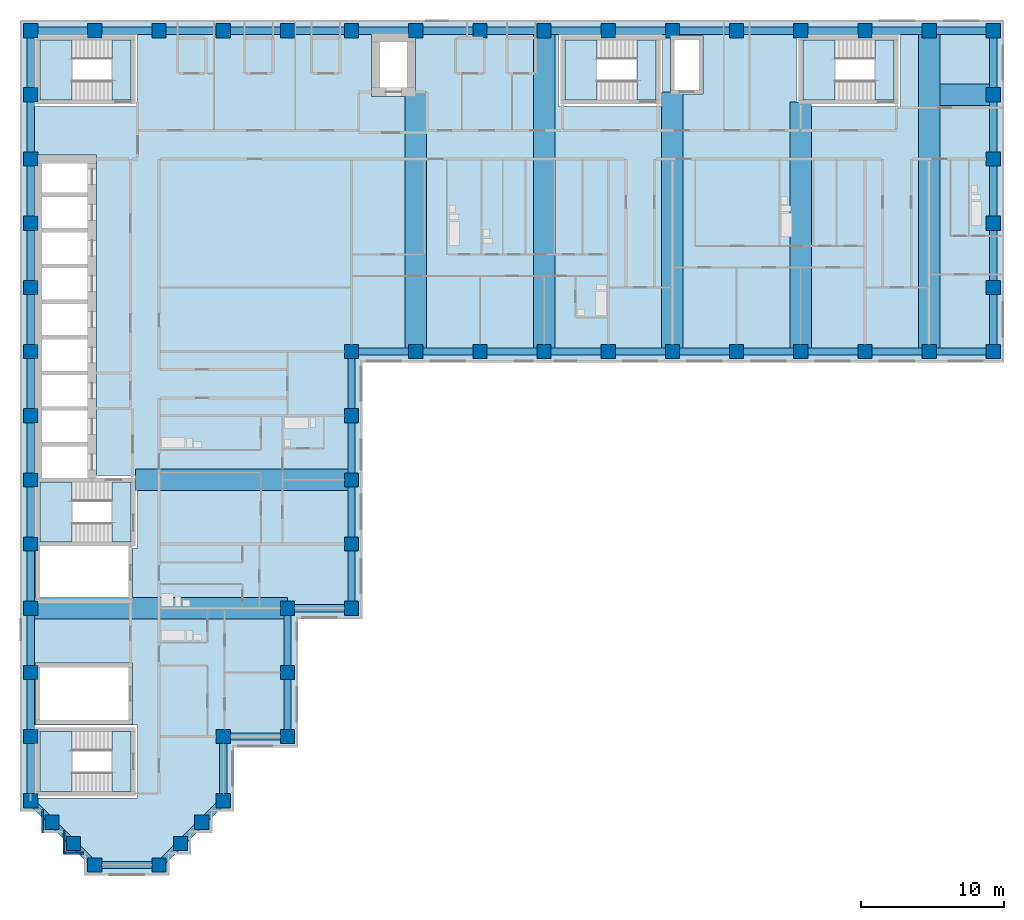
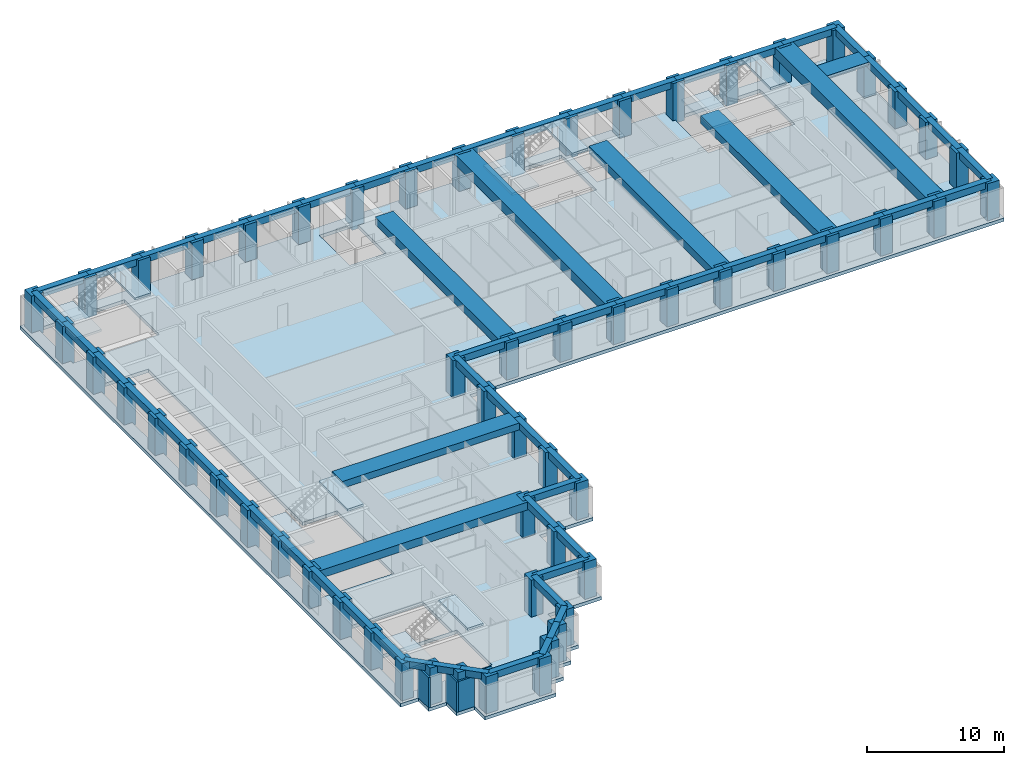
# One storey, part 1 of 12: 66 beams, 58 columns, 11 slabs, 3 walls, 5 elements without a shape of their own.
"""IFC4 building model written with IfcOpenShell, lengths in metres."""

import ifcopenshell
import ifcopenshell.guid

model = None  # the IFC model being written
_history = None  # IfcOwnerHistory: only IFC2X3 demands one
_inside = {}  # id of a spatial element -> (the spatial element, [elements in it])
_under = {}  # id of a project, library or spatial element -> (it, [spatial elements below it])
_declared = {}  # id of a project -> (the project, [libraries it declares])
_typed = {}  # id of a type object -> (the type object, [elements of that type])
_made_of = {}  # id of a material, layer set ... -> (it, [elements and type objects made of it])


def new_model(schema):
    """Start an empty IFC model of exactly this schema.

    Asked for "IFC4X3", IfcOpenShell would pick the latest addendum, in which some entities
    have other attributes; the version numbers below select the first issue.
    IFC2X3 requires an IfcOwnerHistory on every rooted entity: one is made here for all.
    """
    global model, _history
    if schema == "IFC4X3":
        model = ifcopenshell.file(schema_version=(4, 3, 0, 0))
    else:
        model = ifcopenshell.file(schema=schema)
    _inside.clear()
    _under.clear()
    _declared.clear()
    _typed.clear()
    _made_of.clear()
    _history = None
    if model.schema == "IFC2X3":
        org = make("IfcOrganization", Name="unknown")
        user = make(
            "IfcPersonAndOrganization",
            ThePerson=make("IfcPerson", FamilyName="unknown"),
            TheOrganization=org,
        )
        app = make(
            "IfcApplication",
            ApplicationDeveloper=org,
            Version="unknown",
            ApplicationFullName="unknown",
            ApplicationIdentifier="unknown",
        )
        _history = make(
            "IfcOwnerHistory",
            OwningUser=user,
            OwningApplication=app,
            ChangeAction="ADDED",
            CreationDate=0,
        )
    return model


def make(cls, **values):
    """One entity of the class cls with the attributes given. An attribute that is None is left unset."""
    return model.create_entity(
        cls, **{name: value for name, value in values.items() if value is not None}
    )


def rooted(cls, **values):
    """An entity with a GlobalId (a new one), such as an element, a storey or a relation."""
    return make(cls, GlobalId=ifcopenshell.guid.new(), OwnerHistory=_history, **values)


def si_unit(unit_type, name, prefix=None):
    """IfcSIUnit, for example si_unit("LENGTHUNIT", "METRE", prefix="MILLI")."""
    return make("IfcSIUnit", UnitType=unit_type, Prefix=prefix, Name=name)


def assignment(units):
    """IfcUnitAssignment: the units of a project."""
    return None if units is None else make("IfcUnitAssignment", Units=units)


def point(xyz):
    """IfcCartesianPoint."""
    return None if xyz is None else make("IfcCartesianPoint", Coordinates=xyz)


def direction(xyz):
    """IfcDirection."""
    return None if xyz is None else make("IfcDirection", DirectionRatios=xyz)


def frame(location, z_axis=None, x_axis=None):
    """IfcAxis2Placement3D, a coordinate frame: its origin and axes. An axis left out is left unset."""
    return make(
        "IfcAxis2Placement3D",
        Location=point(location),
        Axis=direction(z_axis),
        RefDirection=direction(x_axis),
    )


def frame_2d(location, x_axis=None):
    """IfcAxis2Placement2D, a coordinate frame in the plane: its origin and x axis."""
    return make(
        "IfcAxis2Placement2D", Location=point(location), RefDirection=direction(x_axis)
    )


def origin():
    """The frame at (0, 0, 0) with its axes left unset."""
    return frame((0.0, 0.0, 0.0))


def origin_2d():
    """The frame at (0, 0) in the plane with its x axis left unset."""
    return frame_2d((0.0, 0.0))


def place(relative_to, where):
    """IfcLocalPlacement: puts the frame where relative to a parent placement (None: the world)."""
    return make(
        "IfcLocalPlacement", PlacementRelTo=relative_to, RelativePlacement=where
    )


def context(
    kind, dimensions, precision=None, world=None, true_north=None, identifier=None
):
    """IfcGeometricRepresentationContext, for example the 3D "Model" context."""
    return make(
        "IfcGeometricRepresentationContext",
        ContextIdentifier=identifier,
        ContextType=kind,
        CoordinateSpaceDimension=dimensions,
        Precision=precision,
        WorldCoordinateSystem=world,
        TrueNorth=true_north,
    )


def subcontext(parent, identifier, kind, view, scale=None):
    """IfcGeometricRepresentationSubContext, for example "Body" below "Model"."""
    return make(
        "IfcGeometricRepresentationSubContext",
        ContextIdentifier=identifier,
        ContextType=kind,
        ParentContext=parent,
        TargetScale=scale,
        TargetView=view,
    )


def project(units=None, contexts=None):
    """IfcProject with its units and contexts."""
    return rooted(
        "IfcProject",
        Name="project",
        RepresentationContexts=contexts,
        UnitsInContext=assignment(units),
    )


def spatial(cls, under=None, at=None, **own):
    """A site, building, storey or space (cls), placed at a placement, below another one or the project."""
    s = rooted(cls, ObjectPlacement=at, **own)
    if under is not None:
        _under.setdefault(under.id(), (under, []))[1].append(s)
    return s


def polyline(points):
    """IfcPolyline through the points."""
    return make("IfcPolyline", Points=[point(p) for p in points])


def profile(cls, at=None, kind="AREA", **sizes):
    """A parametric profile (cls). Its sizes go by their IFC names, for example OverallWidth=200.0."""
    return make(cls, ProfileType=kind, Position=at, **sizes)


def rectangle(**sizes):
    """IfcRectangleProfileDef."""
    return profile("IfcRectangleProfileDef", **sizes)


def outline(outer, holes=None, kind="AREA"):
    """IfcArbitraryClosedProfileDef: a profile drawn as a closed curve; with holes, ...WithVoids."""
    if holes is None:
        return make("IfcArbitraryClosedProfileDef", ProfileType=kind, OuterCurve=outer)
    return make(
        "IfcArbitraryProfileDefWithVoids",
        ProfileType=kind,
        OuterCurve=outer,
        InnerCurves=holes,
    )


def extrude(swept, where, along, depth):
    """IfcExtrudedAreaSolid: the profile swept, set in the frame where, extruded along a direction by depth."""
    return make(
        "IfcExtrudedAreaSolid",
        SweptArea=swept,
        Position=where,
        ExtrudedDirection=direction(along),
        Depth=depth,
    )


def shape(context_of_items, identifier, shape_type, items):
    """IfcShapeRepresentation: the items that make up one representation, for example the "Body"."""
    return make(
        "IfcShapeRepresentation",
        ContextOfItems=context_of_items,
        RepresentationIdentifier=identifier,
        RepresentationType=shape_type,
        Items=items,
    )


def material(Name=None, Category=None):
    """IfcMaterial."""
    return make("IfcMaterial", Name=Name, Category=Category)


def layer(
    of_material, thickness, ventilated=None, Name=None, Category=None, Priority=None
):
    """IfcMaterialLayer: one layer of a wall or slab, of a material (None: an air gap)."""
    return make(
        "IfcMaterialLayer",
        Material=of_material,
        LayerThickness=thickness,
        IsVentilated=ventilated,
        Name=Name,
        Category=Category,
        Priority=Priority,
    )


def layer_set(layers, Name=None):
    """IfcMaterialLayerSet."""
    return make("IfcMaterialLayerSet", MaterialLayers=layers, LayerSetName=Name)


def material_profile(
    of_material, cross_section, Name=None, Category=None, Priority=None
):
    """IfcMaterialProfile: a cross section and its material."""
    return make(
        "IfcMaterialProfile",
        Name=Name,
        Material=of_material,
        Profile=cross_section,
        Priority=Priority,
        Category=Category,
    )


def profile_set(profiles, Name=None, composite=None):
    """IfcMaterialProfileSet."""
    return make(
        "IfcMaterialProfileSet",
        Name=Name,
        MaterialProfiles=profiles,
        CompositeProfile=composite,
    )


def made_of(thing, what):
    """Note that an element or type object is made of a material, layer set ...; save() writes the relation."""
    if what is not None:
        _made_of.setdefault(what.id(), (what, []))[1].append(thing)
    return thing


def type_object(cls, material=None, **own):
    """A type object (cls), such as IfcWallType, which elements share."""
    return made_of(rooted(cls, **own), material)


def element(
    cls,
    number,
    at=None,
    inside=None,
    cuts=None,
    type_object=None,
    material=None,
    context=None,
    identifier="Body",
    shape_type=None,
    held_by="IfcProductDefinitionShape",
    body=None,
    shapes=None,
    **own,
):
    """One element of the class cls, such as IfcWall. Its Tag is "e" and its number.

    at: its placement. inside: the storey or other place that contains it. cuts: it is an
    opening in that element (IfcRelVoidsElement). A single representation is given by context,
    identifier, shape_type and body (its items); several are given by shapes. held_by: the class
    of the entity that holds the representations. save() writes the other relations.
    """
    e = rooted(cls, Tag="e%d" % number, ObjectPlacement=at, **own)
    if body is not None:
        shapes = [shape(context, identifier, shape_type, body)]
    if shapes is not None:
        e.Representation = make(held_by, Representations=shapes)
    if inside is not None:
        _inside.setdefault(inside.id(), (inside, []))[1].append(e)
    if cuts is not None:
        rooted(
            "IfcRelVoidsElement", RelatingBuildingElement=cuts, RelatedOpeningElement=e
        )
    if type_object is not None:
        _typed.setdefault(type_object.id(), (type_object, []))[1].append(e)
    return made_of(e, material)


def aggregate(whole, parts):
    """IfcRelAggregates: a whole, such as a stair, and the parts it consists of."""
    return rooted("IfcRelAggregates", RelatingObject=whole, RelatedObjects=parts)


def save(model, path):
    """Write the relations noted so far, then the file.

    IfcRelAggregates (storeys below a building ...), IfcRelContainedInSpatialStructure (elements
    in a storey), IfcRelDefinesByType, IfcRelAssociatesMaterial and IfcRelDeclares: one each for
    every whole, place, type object, material and project.
    """
    for whole, parts in _under.values():
        aggregate(whole, parts)
    for where, things in _inside.values():
        rooted(
            "IfcRelContainedInSpatialStructure",
            RelatedElements=things,
            RelatingStructure=where,
        )
    for kind, things in _typed.values():
        rooted("IfcRelDefinesByType", RelatedObjects=things, RelatingType=kind)
    for what, things in _made_of.values():
        rooted("IfcRelAssociatesMaterial", RelatedObjects=things, RelatingMaterial=what)
    for by, libraries in _declared.values():
        rooted("IfcRelDeclares", RelatingContext=by, RelatedDefinitions=libraries)
    model.write(path)


model = new_model("IFC4")

# Units and contexts
model_context = context("Model", 3, precision=1e-05, world=origin(), true_north=direction((0.0, 1.0)))
body_context = subcontext(model_context, "Body", "Model", "MODEL_VIEW")
ifc_project = project(units=[si_unit("LENGTHUNIT", "METRE"), si_unit("AREAUNIT", "SQUARE_METRE"), si_unit("VOLUMEUNIT", "CUBIC_METRE"), si_unit("PLANEANGLEUNIT", "RADIAN"), si_unit("MASSUNIT", "GRAM", prefix="KILO")], contexts=[model_context])

# Site, building, storey
site_placement = place(None, origin())
site = spatial("IfcSite", under=ifc_project, at=site_placement, CompositionType="ELEMENT")
building_placement = place(site_placement, origin())
building = spatial("IfcBuilding", under=site, at=building_placement, Name="Firuza Court", CompositionType="ELEMENT")
storey_placement = place(building_placement, frame((0.0, 0.0, 155.60009765625)))
storey = spatial("IfcBuildingStorey", under=building, at=storey_placement, Name="L39", CompositionType="ELEMENT", Elevation=155.60009765625)

# Columns
ifc_material_1 = material(Name="Concrete C60/75", Category="concrete")
ifc_material_profile_1 = material_profile(ifc_material_1, rectangle(XDim=1.0, YDim=1.0, at=origin_2d()), Name="RC 1000x1000")
ifc_profile_set_1 = profile_set([ifc_material_profile_1], Name="Concrete C60/75")
column_type = type_object("IfcColumnType", Name="Tube column RC 1000x1000 C60/75", PredefinedType="COLUMN", material=ifc_profile_set_1)
for number, where, z_axis, x_axis, name in (
    (1, (4.5, 0.0, -0.300048828125), (0.0, 0.0, 1.0), (1.0, 0.0, 0.0), "Column C-2D L39"),
    (2, (9.0, 0.0, -0.300048828125), (0.0, 0.0, 1.0), (1.0, 0.0, 0.0), "Column C-3D L39"),
    (3, (3.0, 1.5, -0.300048828125), (0.0, 0.0, 1.0), (1.0, 0.0, 0.0), "Column C-SA1 L39"),
    (4, (10.5, 1.5, -0.300048828125), (0.0, 0.0, 1.0), (1.0, 0.0, 0.0), "Column C-SA2 L39"),
    (5, (1.5, 3.0, -0.300048828125), (0.0, 0.0, 1.0), (1.0, 0.0, 0.0), "Column C-SA3 L39"),
    (6, (12.0, 3.0, -0.300048828125), (0.0, 0.0, 1.0), (1.0, 0.0, 0.0), "Column C-SA4 L39"),
    (7, (0.0, 4.5, -0.300048828125), (0.0, 0.0, 1.0), (1.0, 0.0, 0.0), "Column C-1E L39"),
    (8, (13.5, 4.5, -0.300048828125), (0.0, 0.0, 1.0), (1.0, 0.0, 0.0), "Column C-4E L39"),
    (9, (0.0, 9.0, -0.300048828125), (0.0, 0.0, 1.0), (1.0, 0.0, 0.0), "Column C-1F L39"),
    (10, (13.5, 9.0, -0.300048828125), (0.0, 0.0, 1.0), (1.0, 0.0, 0.0), "Column C-4F L39"),
    (11, (18.0, 9.0, -0.300048828125), (0.0, 0.0, 1.0), (1.0, 0.0, 0.0), "Column C-5F L39"),
    (12, (0.0, 13.5, -0.300048828125), (0.0, 0.0, 1.0), (1.0, 0.0, 0.0), "Column C-1G L39"),
    (13, (18.0, 13.5, -0.300048828125), (0.0, 0.0, 1.0), (1.0, 0.0, 0.0), "Column C-5G L39"),
    (14, (0.0, 18.0, -0.300048828125), (0.0, 0.0, 1.0), (1.0, 0.0, 0.0), "Column C-1H L39"),
    (15, (18.0, 18.0, -0.300048828125), (0.0, 0.0, 1.0), (1.0, 0.0, 0.0), "Column C-5H L39"),
    (16, (22.5, 18.0, -0.300048828125), (0.0, 0.0, 1.0), (1.0, 0.0, 0.0), "Column C-6H L39"),
    (17, (0.0, 22.5, -0.300048828125), (0.0, 0.0, 1.0), (1.0, 0.0, 0.0), "Column C-1J L39"),
    (18, (22.5, 22.5, -0.300048828125), (0.0, 0.0, 1.0), (1.0, 0.0, 0.0), "Column C-6J L39"),
    (19, (0.0, 27.0, -0.300048828125), (0.0, 0.0, 1.0), (1.0, 0.0, 0.0), "Column C-1K L39"),
    (20, (22.5, 27.0, -0.300048828125), (0.0, 0.0, 1.0), (1.0, 0.0, 0.0), "Column C-6K L39"),
    (21, (0.0, 31.5, -0.300048828125), (0.0, 0.0, 1.0), (1.0, 0.0, 0.0), "Column C-1L L39"),
    (22, (22.5, 31.5, -0.300048828125), (0.0, 0.0, 1.0), (1.0, 0.0, 0.0), "Column C-6L L39"),
    (23, (0.0, 36.0, -0.300048828125), (0.0, 0.0, 1.0), (1.0, 0.0, 0.0), "Column C-1M L39"),
    (24, (22.5, 36.0, -0.300048828125), (0.0, 0.0, 1.0), (1.0, 0.0, 0.0), "Column C-6M L39"),
    (25, (27.0, 36.0, -0.300048828125), (0.0, 0.0, 1.0), (1.0, 0.0, 0.0), "Column C-7M L39"),
    (26, (31.5, 36.0, -0.300048828125), (0.0, 0.0, 1.0), (1.0, 0.0, 0.0), "Column C-8M L39"),
    (27, (36.0, 36.0, -0.300048828125), (0.0, 0.0, 1.0), (1.0, 0.0, 0.0), "Column C-9M L39"),
    (28, (40.5, 36.0, -0.300048828125), (0.0, 0.0, 1.0), (1.0, 0.0, 0.0), "Column C-10M L39"),
    (29, (45.0, 36.0, -0.300048828125), (0.0, 0.0, 1.0), (1.0, 0.0, 0.0), "Column C-11M L39"),
    (30, (49.5, 36.0, -0.300048828125), (0.0, 0.0, 1.0), (1.0, 0.0, 0.0), "Column C-12M L39"),
    (31, (54.0, 36.0, -0.300048828125), (0.0, 0.0, 1.0), (1.0, 0.0, 0.0), "Column C-13M L39"),
    (32, (58.5, 36.0, -0.300048828125), (0.0, 0.0, 1.0), (1.0, 0.0, 0.0), "Column C-14M L39"),
    (33, (63.0, 36.0, -0.300048828125), (0.0, 0.0, 1.0), (1.0, 0.0, 0.0), "Column C-15M L39"),
    (34, (67.5, 36.0, -0.300048828125), (0.0, 0.0, 1.0), (1.0, 0.0, 0.0), "Column C-16M L39"),
    (35, (0.0, 40.5, -0.300048828125), (0.0, 0.0, 1.0), (1.0, 0.0, 0.0), "Column C-1N L39"),
    (36, (67.5, 40.5, -0.300048828125), (0.0, 0.0, 1.0), (1.0, 0.0, 0.0), "Column C-16N L39"),
    (37, (0.0, 45.0, -0.300048828125), (0.0, 0.0, 1.0), (1.0, 0.0, 0.0), "Column C-1P L39"),
    (38, (67.5, 45.0, -0.300048828125), (0.0, 0.0, 1.0), (1.0, 0.0, 0.0), "Column C-16P L39"),
    (39, (0.0, 49.5, -0.300048828125), (0.0, 0.0, 1.0), (1.0, 0.0, 0.0), "Column C-1Q L39"),
    (40, (67.5, 49.5, -0.300048828125), (0.0, 0.0, 1.0), (1.0, 0.0, 0.0), "Column C-16Q L39"),
    (41, (0.0, 54.0, -0.300048828125), (0.0, 0.0, 1.0), (1.0, 0.0, 0.0), "Column C-1R L39"),
    (42, (67.5, 54.0, -0.300048828125), (0.0, 0.0, 1.0), (1.0, 0.0, 0.0), "Column C-16R L39"),
    (43, (0.0, 58.5, -0.300048828125), (0.0, 0.0, 1.0), (1.0, 0.0, 0.0), "Column C-1S L39"),
    (44, (4.5, 58.5, -0.300048828125), (0.0, 0.0, 1.0), (1.0, 0.0, 0.0), "Column C-2S L39"),
    (45, (9.0, 58.5, -0.300048828125), (0.0, 0.0, 1.0), (1.0, 0.0, 0.0), "Column C-3S L39"),
    (46, (13.5, 58.5, -0.300048828125), (0.0, 0.0, 1.0), (1.0, 0.0, 0.0), "Column C-4S L39"),
    (47, (18.0, 58.5, -0.300048828125), (0.0, 0.0, 1.0), (1.0, 0.0, 0.0), "Column C-5S L39"),
    (48, (22.5, 58.5, -0.300048828125), (0.0, 0.0, 1.0), (1.0, 0.0, 0.0), "Column C-6S L39"),
    (49, (27.0, 58.5, -0.300048828125), (0.0, 0.0, 1.0), (1.0, 0.0, 0.0), "Column C-7S L39"),
    (50, (31.5, 58.5, -0.300048828125), (0.0, 0.0, 1.0), (1.0, 0.0, 0.0), "Column C-8S L39"),
    (51, (36.0, 58.5, -0.300048828125), (0.0, 0.0, 1.0), (1.0, 0.0, 0.0), "Column C-9S L39"),
    (52, (40.5, 58.5, -0.300048828125), (0.0, 0.0, 1.0), (1.0, 0.0, 0.0), "Column C-10S L39"),
    (53, (45.0, 58.5, -0.300048828125), (0.0, 0.0, 1.0), (1.0, 0.0, 0.0), "Column C-11S L39"),
    (54, (49.5, 58.5, -0.300048828125), (0.0, 0.0, 1.0), (1.0, 0.0, 0.0), "Column C-12S L39"),
    (55, (54.0, 58.5, -0.300048828125), (0.0, 0.0, 1.0), (1.0, 0.0, 0.0), "Column C-13S L39"),
    (56, (58.5, 58.5, -0.300048828125), (0.0, 0.0, 1.0), (1.0, 0.0, 0.0), "Column C-14S L39"),
    (57, (63.0, 58.5, -0.300048828125), (0.0, 0.0, 1.0), (1.0, 0.0, 0.0), "Column C-15S L39"),
    (58, (67.5, 58.5, -0.300048828125), (0.0, 0.0, 1.0), (1.0, 0.0, 0.0), "Column C-16S L39"),
):
    element("IfcColumn", number, at=place(storey_placement, frame(where, z_axis=z_axis, x_axis=x_axis)), inside=storey, type_object=column_type, Name=name, PredefinedType="COLUMN", context=body_context, shape_type="SweptSolid", body=[
        extrude(rectangle(XDim=1.0, YDim=1.0, at=origin_2d()), origin(), (0.0, 0.0, 1.0), 3.599853515625),
    ])

# Beams
ifc_material_2 = material(Name="Concrete C40/50", Category="concrete")
ifc_material_profile_2 = material_profile(ifc_material_2, rectangle(XDim=1.5, YDim=0.300048828125, at=origin_2d()), Name="RC 1500x300")
ifc_profile_set_2 = profile_set([ifc_material_profile_2], Name="Concrete C40/50")
beam_type_1 = type_object("IfcBeamType", Name="Band beam RC 1500x300 C40/50", PredefinedType="BEAM", material=ifc_profile_set_2)
beam_1_placement = place(storey_placement, frame((67.5, 54.0, 3.14990234375), z_axis=(-1.0, 0.0, 0.0), x_axis=(0.0, -1.0, 0.0)))
element("IfcBeam", 59, at=beam_1_placement, inside=storey, type_object=beam_type_1, Name="Band beam FB6 level L40", PredefinedType="BEAM", context=body_context, shape_type="SweptSolid", body=[
    extrude(rectangle(XDim=1.5, YDim=0.300048828125, at=origin_2d()), origin(), (0.0, 0.0, 1.0), 3.75),
])
ifc_material_3 = material(Name="Concrete C40/50", Category="concrete")
ifc_material_profile_3 = material_profile(ifc_material_3, rectangle(XDim=1.5, YDim=0.60009765625, at=origin_2d()), Name="RC 1500x600")
ifc_profile_set_3 = profile_set([ifc_material_profile_3], Name="Concrete C40/50")
beam_type_2 = type_object("IfcBeamType", Name="Band beam RC 1500x600 C40/50", PredefinedType="BEAM", material=ifc_profile_set_3)
beam_2_placement = place(storey_placement, frame((22.5, 27.0, 3.0), z_axis=(-1.0, 0.0, 0.0), x_axis=(0.0, -1.0, 0.0)))
element("IfcBeam", 60, at=beam_2_placement, inside=storey, type_object=beam_type_2, Name="Band beam FB3 level L40", PredefinedType="BEAM", context=body_context, shape_type="SweptSolid", body=[
    extrude(rectangle(XDim=1.5, YDim=0.60009765625, at=origin_2d()), origin(), (0.0, 0.0, 1.0), 15.14990234375),
])
ifc_material_4 = material(Name="Concrete C40/50", Category="concrete")
ifc_material_profile_4 = material_profile(ifc_material_4, rectangle(XDim=1.5, YDim=0.699951171875, at=origin_2d()), Name="RC 1500x700")
ifc_profile_set_4 = profile_set([ifc_material_profile_4], Name="Concrete C40/50")
beam_type_3 = type_object("IfcBeamType", Name="Band beam RC 1500x700 C40/50", PredefinedType="BEAM", material=ifc_profile_set_4)
beam_3_placement = place(storey_placement, frame((0.0, 18.0, 2.949951171875), z_axis=(1.0, 0.0, 0.0), x_axis=(0.0, 1.0, 0.0)))
element("IfcBeam", 61, at=beam_3_placement, inside=storey, type_object=beam_type_3, Name="Band beam FB1 level L40", PredefinedType="BEAM", context=body_context, shape_type="SweptSolid", body=[
    extrude(rectangle(XDim=1.5, YDim=0.699951171875, at=origin_2d()), origin(), (0.0, 0.0, 1.0), 18.0),
])
for number, where, z_axis, x_axis, name in (
    (62, (27.0, 36.0, 2.949951171875), (0.0, 1.0, 0.0), (-1.0, 0.0, 0.0), "Band beam FB1 level L40"),
    (63, (45.0, 36.0, 2.949951171875), (0.0, 1.0, 0.0), (-1.0, 0.0, 0.0), "Band beam FB1 level L40"),
):
    element("IfcBeam", number, at=place(storey_placement, frame(where, z_axis=z_axis, x_axis=x_axis)), inside=storey, type_object=beam_type_3, Name=name, PredefinedType="BEAM", context=body_context, shape_type="SweptSolid", body=[
        extrude(rectangle(XDim=1.5, YDim=0.699951171875, at=origin_2d()), origin(), (0.0, 0.0, 1.0), 18.199951171875),
    ])
beam_4_placement = place(storey_placement, frame((54.0, 36.0, 2.949951171875), z_axis=(0.0, 1.0, 0.0), x_axis=(-1.0, 0.0, 0.0)))
element("IfcBeam", 64, at=beam_4_placement, inside=storey, type_object=beam_type_3, Name="Band beam FB1 level L40", PredefinedType="BEAM", context=body_context, shape_type="SweptSolid", body=[
    extrude(rectangle(XDim=1.5, YDim=0.699951171875, at=origin_2d()), origin(), (0.0, 0.0, 1.0), 17.5),
])
ifc_material_5 = material(Name="Concrete C40/50", Category="concrete")
ifc_material_profile_5 = material_profile(ifc_material_5, rectangle(XDim=1.5, YDim=0.89990234375, at=origin_2d()), Name="RC 1500x900")
ifc_profile_set_5 = profile_set([ifc_material_profile_5], Name="Concrete C40/50")
beam_type_4 = type_object("IfcBeamType", Name="Band beam RC 1500x900 C40/50", PredefinedType="BEAM", material=ifc_profile_set_5)
for number, where, z_axis, x_axis, name in (
    (65, (36.0, 36.0, 2.849853515625), (0.0, 1.0, 0.0), (-1.0, 0.0, 0.0), "Band beam FB2 level L40"),
    (66, (63.0, 36.0, 2.849853515625), (0.0, 1.0, 0.0), (-1.0, 0.0, 0.0), "Band beam FB2 level L40"),
):
    element("IfcBeam", number, at=place(storey_placement, frame(where, z_axis=z_axis, x_axis=x_axis)), inside=storey, type_object=beam_type_4, Name=name, PredefinedType="BEAM", context=body_context, shape_type="SweptSolid", body=[
        extrude(rectangle(XDim=1.5, YDim=0.89990234375, at=origin_2d()), origin(), (0.0, 0.0, 1.0), 22.5),
    ])
ifc_material_6 = material(Name="Concrete C40/50", Category="concrete")
ifc_material_profile_6 = material_profile(ifc_material_6, rectangle(XDim=0.5, YDim=0.60009765625, at=origin_2d()), Name="RC 500x600")
ifc_profile_set_6 = profile_set([ifc_material_profile_6], Name="Concrete C40/50")
beam_type_5 = type_object("IfcBeamType", Name="Spandrel beam RC 500x600 C40/50", PredefinedType="BEAM", material=ifc_profile_set_6)
beam_5_placement = place(storey_placement, frame((0.0, 4.5, 3.0), z_axis=(0.707106781187, -0.707106781187, 0.0), x_axis=(0.707106781187, 0.707106781187, 0.0)))
element("IfcBeam", 67, at=beam_5_placement, inside=storey, type_object=beam_type_5, Name="Spandrel beam SP13 level L40", PredefinedType="BEAM", context=body_context, shape_type="SweptSolid", body=[
    extrude(rectangle(XDim=0.5, YDim=0.60009765625, at=origin_2d()), origin(), (0.0, 0.0, 1.0), 2.121337890625),
])
for number, where, z_axis, x_axis, name in (
    (68, (0.0, 9.0, 3.0), (0.0, -1.0, 0.0), (1.0, 0.0, 0.0), "Spandrel beam SP13 level L40"),
    (69, (0.0, 13.5, 3.0), (0.0, -1.0, 0.0), (1.0, 0.0, 0.0), "Spandrel beam SP13 level L40"),
    (70, (0.0, 18.0, 3.0), (0.0, -1.0, 0.0), (1.0, 0.0, 0.0), "Spandrel beam SP13 level L40"),
    (71, (0.0, 22.5, 3.0), (0.0, -1.0, 0.0), (1.0, 0.0, 0.0), "Spandrel beam SP13 level L40"),
    (72, (0.0, 27.0, 3.0), (0.0, -1.0, 0.0), (1.0, 0.0, 0.0), "Spandrel beam SP13 level L40"),
    (73, (0.0, 31.5, 3.0), (0.0, -1.0, 0.0), (1.0, 0.0, 0.0), "Spandrel beam SP13 level L40"),
    (74, (0.0, 36.0, 3.0), (0.0, -1.0, 0.0), (1.0, 0.0, 0.0), "Spandrel beam SP13 level L40"),
    (75, (0.0, 40.5, 3.0), (0.0, -1.0, 0.0), (1.0, 0.0, 0.0), "Spandrel beam SP13 level L40"),
    (76, (0.0, 45.0, 3.0), (0.0, -1.0, 0.0), (1.0, 0.0, 0.0), "Spandrel beam SP13 level L40"),
    (77, (0.0, 49.5, 3.0), (0.0, -1.0, 0.0), (1.0, 0.0, 0.0), "Spandrel beam SP13 level L40"),
    (78, (0.0, 54.0, 3.0), (0.0, -1.0, 0.0), (1.0, 0.0, 0.0), "Spandrel beam SP13 level L40"),
    (79, (0.0, 58.5, 3.0), (0.0, -1.0, 0.0), (1.0, 0.0, 0.0), "Spandrel beam SP13 level L40"),
):
    element("IfcBeam", number, at=place(storey_placement, frame(where, z_axis=z_axis, x_axis=x_axis)), inside=storey, type_object=beam_type_5, Name=name, PredefinedType="BEAM", context=body_context, shape_type="SweptSolid", body=[
        extrude(rectangle(XDim=0.5, YDim=0.60009765625, at=origin_2d()), origin(), (0.0, 0.0, 1.0), 4.5),
    ])
for number, where, z_axis, x_axis, name in (
    (80, (1.5, 3.0, 3.0), (0.707106781187, -0.707106781187, 0.0), (0.707106781187, 0.707106781187, 0.0), "Spandrel beam SP13 level L40"),
    (81, (3.0, 1.5, 3.0), (0.707106781187, -0.707106781187, 0.0), (0.707106781187, 0.707106781187, 0.0), "Spandrel beam SP13 level L40"),
):
    element("IfcBeam", number, at=place(storey_placement, frame(where, z_axis=z_axis, x_axis=x_axis)), inside=storey, type_object=beam_type_5, Name=name, PredefinedType="BEAM", context=body_context, shape_type="SweptSolid", body=[
        extrude(rectangle(XDim=0.5, YDim=0.60009765625, at=origin_2d()), origin(), (0.0, 0.0, 1.0), 2.121337890625),
    ])
for number, where, z_axis, x_axis, name in (
    (82, (4.5, 0.0, 3.0), (1.0, 0.0, 0.0), (0.0, 1.0, 0.0), "Spandrel beam SP13 level L40"),
    (83, (4.5, 58.5, 3.0), (-1.0, 0.0, 0.0), (0.0, -1.0, 0.0), "Spandrel beam SP13 level L40"),
):
    element("IfcBeam", number, at=place(storey_placement, frame(where, z_axis=z_axis, x_axis=x_axis)), inside=storey, type_object=beam_type_5, Name=name, PredefinedType="BEAM", context=body_context, shape_type="SweptSolid", body=[
        extrude(rectangle(XDim=0.5, YDim=0.60009765625, at=origin_2d()), origin(), (0.0, 0.0, 1.0), 4.5),
    ])
beam_6_placement = place(storey_placement, frame((9.0, 0.0, 3.0), z_axis=(0.707106781187, 0.707106781187, 0.0), x_axis=(-0.707106781187, 0.707106781187, 0.0)))
element("IfcBeam", 84, at=beam_6_placement, inside=storey, type_object=beam_type_5, Name="Spandrel beam SP13 level L40", PredefinedType="BEAM", context=body_context, shape_type="SweptSolid", body=[
    extrude(rectangle(XDim=0.5, YDim=0.60009765625, at=origin_2d()), origin(), (0.0, 0.0, 1.0), 2.121337890625),
])
beam_7_placement = place(storey_placement, frame((9.0, 58.5, 3.0), z_axis=(-1.0, 0.0, 0.0), x_axis=(0.0, -1.0, 0.0)))
element("IfcBeam", 85, at=beam_7_placement, inside=storey, type_object=beam_type_5, Name="Spandrel beam SP13 level L40", PredefinedType="BEAM", context=body_context, shape_type="SweptSolid", body=[
    extrude(rectangle(XDim=0.5, YDim=0.60009765625, at=origin_2d()), origin(), (0.0, 0.0, 1.0), 4.5),
])
for number, where, z_axis, x_axis, name in (
    (86, (10.5, 1.5, 3.0), (0.707106781187, 0.707106781187, 0.0), (-0.707106781187, 0.707106781187, 0.0), "Spandrel beam SP13 level L40"),
    (87, (12.0, 3.0, 3.0), (0.707106781187, 0.707106781187, 0.0), (-0.707106781187, 0.707106781187, 0.0), "Spandrel beam SP13 level L40"),
):
    element("IfcBeam", number, at=place(storey_placement, frame(where, z_axis=z_axis, x_axis=x_axis)), inside=storey, type_object=beam_type_5, Name=name, PredefinedType="BEAM", context=body_context, shape_type="SweptSolid", body=[
        extrude(rectangle(XDim=0.5, YDim=0.60009765625, at=origin_2d()), origin(), (0.0, 0.0, 1.0), 2.121337890625),
    ])
for number, where, z_axis, x_axis, name in (
    (88, (13.5, 4.5, 3.0), (0.0, 1.0, 0.0), (-1.0, 0.0, 0.0), "Spandrel beam SP13 level L40"),
    (89, (13.5, 9.0, 3.0), (1.0, 0.0, 0.0), (0.0, 1.0, 0.0), "Spandrel beam SP13 level L40"),
    (90, (13.5, 58.5, 3.0), (-1.0, 0.0, 0.0), (0.0, -1.0, 0.0), "Spandrel beam SP13 level L40"),
    (91, (18.0, 9.0, 3.0), (0.0, 1.0, 0.0), (-1.0, 0.0, 0.0), "Spandrel beam SP13 level L40"),
    (92, (18.0, 13.5, 3.0), (0.0, 1.0, 0.0), (-1.0, 0.0, 0.0), "Spandrel beam SP13 level L40"),
    (93, (18.0, 18.0, 3.0), (1.0, 0.0, 0.0), (0.0, 1.0, 0.0), "Spandrel beam SP13 level L40"),
    (94, (18.0, 58.5, 3.0), (-1.0, 0.0, 0.0), (0.0, -1.0, 0.0), "Spandrel beam SP13 level L40"),
    (95, (22.5, 18.0, 3.0), (0.0, 1.0, 0.0), (-1.0, 0.0, 0.0), "Spandrel beam SP13 level L40"),
    (96, (22.5, 22.5, 3.0), (0.0, 1.0, 0.0), (-1.0, 0.0, 0.0), "Spandrel beam SP13 level L40"),
    (97, (22.5, 27.0, 3.0), (0.0, 1.0, 0.0), (-1.0, 0.0, 0.0), "Spandrel beam SP13 level L40"),
    (98, (22.5, 31.5, 3.0), (0.0, 1.0, 0.0), (-1.0, 0.0, 0.0), "Spandrel beam SP13 level L40"),
    (99, (22.5, 36.0, 3.0), (1.0, 0.0, 0.0), (0.0, 1.0, 0.0), "Spandrel beam SP13 level L40"),
    (100, (22.5, 58.5, 3.0), (-1.0, 0.0, 0.0), (0.0, -1.0, 0.0), "Spandrel beam SP13 level L40"),
    (101, (27.0, 36.0, 3.0), (1.0, 0.0, 0.0), (0.0, 1.0, 0.0), "Spandrel beam SP13 level L40"),
    (102, (27.0, 58.5, 3.0), (-1.0, 0.0, 0.0), (0.0, -1.0, 0.0), "Spandrel beam SP13 level L40"),
    (103, (31.5, 36.0, 3.0), (1.0, 0.0, 0.0), (0.0, 1.0, 0.0), "Spandrel beam SP13 level L40"),
    (104, (31.5, 58.5, 3.0), (-1.0, 0.0, 0.0), (0.0, -1.0, 0.0), "Spandrel beam SP13 level L40"),
    (105, (36.0, 36.0, 3.0), (1.0, 0.0, 0.0), (0.0, 1.0, 0.0), "Spandrel beam SP13 level L40"),
    (106, (36.0, 58.5, 3.0), (-1.0, 0.0, 0.0), (0.0, -1.0, 0.0), "Spandrel beam SP13 level L40"),
    (107, (40.5, 36.0, 3.0), (1.0, 0.0, 0.0), (0.0, 1.0, 0.0), "Spandrel beam SP13 level L40"),
    (108, (40.5, 58.5, 3.0), (-1.0, 0.0, 0.0), (0.0, -1.0, 0.0), "Spandrel beam SP13 level L40"),
    (109, (45.0, 36.0, 3.0), (1.0, 0.0, 0.0), (0.0, 1.0, 0.0), "Spandrel beam SP13 level L40"),
    (110, (45.0, 58.5, 3.0), (-1.0, 0.0, 0.0), (0.0, -1.0, 0.0), "Spandrel beam SP13 level L40"),
    (111, (49.5, 36.0, 3.0), (1.0, 0.0, 0.0), (0.0, 1.0, 0.0), "Spandrel beam SP13 level L40"),
    (112, (49.5, 58.5, 3.0), (-1.0, 0.0, 0.0), (0.0, -1.0, 0.0), "Spandrel beam SP13 level L40"),
    (113, (54.0, 36.0, 3.0), (1.0, 0.0, 0.0), (0.0, 1.0, 0.0), "Spandrel beam SP13 level L40"),
    (114, (54.0, 58.5, 3.0), (-1.0, 0.0, 0.0), (0.0, -1.0, 0.0), "Spandrel beam SP13 level L40"),
    (115, (58.5, 36.0, 3.0), (1.0, 0.0, 0.0), (0.0, 1.0, 0.0), "Spandrel beam SP13 level L40"),
    (116, (58.5, 58.5, 3.0), (-1.0, 0.0, 0.0), (0.0, -1.0, 0.0), "Spandrel beam SP13 level L40"),
    (117, (63.0, 36.0, 3.0), (1.0, 0.0, 0.0), (0.0, 1.0, 0.0), "Spandrel beam SP13 level L40"),
    (118, (63.0, 58.5, 3.0), (-1.0, 0.0, 0.0), (0.0, -1.0, 0.0), "Spandrel beam SP13 level L40"),
    (119, (67.5, 36.0, 3.0), (0.0, 1.0, 0.0), (-1.0, 0.0, 0.0), "Spandrel beam SP13 level L40"),
    (120, (67.5, 40.5, 3.0), (0.0, 1.0, 0.0), (-1.0, 0.0, 0.0), "Spandrel beam SP13 level L40"),
    (121, (67.5, 45.0, 3.0), (0.0, 1.0, 0.0), (-1.0, 0.0, 0.0), "Spandrel beam SP13 level L40"),
    (122, (67.5, 49.5, 3.0), (0.0, 1.0, 0.0), (-1.0, 0.0, 0.0), "Spandrel beam SP13 level L40"),
    (123, (67.5, 54.0, 3.0), (0.0, 1.0, 0.0), (-1.0, 0.0, 0.0), "Spandrel beam SP13 level L40"),
    (124, (67.5, 58.5, 3.0), (-1.0, 0.0, 0.0), (0.0, -1.0, 0.0), "Spandrel beam SP13 level L40"),
):
    element("IfcBeam", number, at=place(storey_placement, frame(where, z_axis=z_axis, x_axis=x_axis)), inside=storey, type_object=beam_type_5, Name=name, PredefinedType="BEAM", context=body_context, shape_type="SweptSolid", body=[
        extrude(rectangle(XDim=0.5, YDim=0.60009765625, at=origin_2d()), origin(), (0.0, 0.0, 1.0), 4.5),
    ])

# Slab
ifc_material_7 = material(Name="Concrete C40/50", Category="concrete")
ifc_layer_1 = layer(ifc_material_7, 0.300048828125)
ifc_layer_set_1 = layer_set([ifc_layer_1], Name="Concrete C40/50")
slab_type_1 = type_object("IfcSlabType", Name="Floor slab 300 C40/50", PredefinedType="FLOOR", material=ifc_layer_set_1)
slab_1_placement = place(storey_placement, frame((0.0, 0.0, -0.300048828125)))
element("IfcSlab", 125, at=slab_1_placement, inside=storey, type_object=slab_type_1, Name="Floor slab L39", PredefinedType="FLOOR", context=body_context, shape_type="SweptSolid", body=[
    extrude(outline(polyline([(3.75, -0.75), (3.75, 0.75), (2.25, 0.75), (2.25, 2.25), (0.75, 2.25), (0.75, 3.75), (-0.75, 3.75), (-0.75, 59.25), (68.25, 59.25), (68.25, 35.25), (23.25, 35.25), (23.25, 17.25), (18.75, 17.25), (18.75, 8.25), (14.25, 8.25), (14.25, 3.75), (12.75, 3.75), (12.75, 2.25), (11.25, 2.25), (11.25, 0.75), (9.75, 0.75), (9.75, -0.75), (3.75, -0.75)]), holes=[polyline([(0.199951171875, 29.800048828125), (0.199951171875, 29.199951171875), (0.199951171875, 27.300048828125), (0.199951171875, 26.699951171875), (0.199951171875, 22.199951171875), (0.35009765625, 22.199951171875), (0.35009765625, 18.35009765625), (7.14990234375, 18.35009765625), (7.14990234375, 22.199951171875), (7.5, 22.199951171875), (7.5, 27.300048828125), (4.60009765625, 27.300048828125), (4.60009765625, 29.199951171875), (4.60009765625, 29.800048828125), (4.60009765625, 31.699951171875), (4.60009765625, 32.300048828125), (4.60009765625, 34.199951171875), (4.60009765625, 34.800048828125), (4.60009765625, 36.699951171875), (4.60009765625, 37.300048828125), (4.60009765625, 39.199951171875), (4.60009765625, 39.800048828125), (4.60009765625, 41.699951171875), (4.60009765625, 42.300048828125), (4.60009765625, 44.199951171875), (4.60009765625, 44.800048828125), (4.60009765625, 46.699951171875), (4.60009765625, 47.300048828125), (4.60009765625, 49.800048828125), (0.199951171875, 49.800048828125), (0.199951171875, 47.300048828125), (0.199951171875, 46.699951171875), (0.199951171875, 44.800048828125), (0.199951171875, 44.199951171875), (0.199951171875, 42.300048828125), (0.199951171875, 41.699951171875), (0.199951171875, 39.800048828125), (0.199951171875, 39.199951171875), (0.199951171875, 37.300048828125), (0.199951171875, 36.699951171875), (0.199951171875, 34.800048828125), (0.199951171875, 34.199951171875), (0.199951171875, 32.300048828125), (0.199951171875, 31.699951171875), (0.199951171875, 29.800048828125)]), polyline([(7.5, 9.800048828125), (0.199951171875, 9.800048828125), (0.199951171875, 4.699951171875), (7.5, 4.699951171875), (7.5, 9.800048828125)]), polyline([(7.14990234375, 14.14990234375), (0.35009765625, 14.14990234375), (0.35009765625, 9.85009765625), (7.14990234375, 9.85009765625), (7.14990234375, 14.14990234375)]), polyline([(7.5, 58.300048828125), (0.199951171875, 58.300048828125), (0.199951171875, 53.199951171875), (7.5, 53.199951171875), (7.5, 58.300048828125)]), polyline([(44.300048828125, 58.300048828125), (37.0, 58.300048828125), (37.0, 53.199951171875), (44.300048828125, 53.199951171875), (44.300048828125, 58.300048828125)]), polyline([(61.0, 58.300048828125), (53.699951171875, 58.300048828125), (53.699951171875, 53.199951171875), (61.0, 53.199951171875), (61.0, 58.300048828125)]), polyline([(27.0, 53.89990234375), (27.0, 58.300048828125), (23.89990234375, 58.300048828125), (23.89990234375, 53.89990234375), (27.0, 53.89990234375)]), polyline([(47.14990234375, 54.050048828125), (47.14990234375, 58.14990234375), (44.85009765625, 58.14990234375), (44.85009765625, 54.050048828125), (47.14990234375, 54.050048828125)])]), origin(), (0.0, 0.0, 1.0), 0.300048828125),
])

# Stair, slabs
ifc_material_8 = material(Name="Concrete C40/50 precast", Category="concrete")
stair_type = type_object("IfcStairType", Name="Stair 1350 x 3600 2 flights", PredefinedType="HALF_TURN_STAIR", material=ifc_material_8)
stair_1_placement = place(storey_placement, origin())
stair_1 = element("IfcStair", 126, at=stair_1_placement, inside=storey, type_object=stair_type, Name="Stair 1 L39", PredefinedType="HALF_TURN_STAIR")
ifc_material_9 = material(Name="Concrete C40/50 precast", Category="concrete")
ifc_layer_2 = layer(ifc_material_9, 0.199951171875)
ifc_layer_set_2 = layer_set([ifc_layer_2], Name="Concrete C40/50 precast")
slab_type_2 = type_object("IfcSlabType", Name="Stair landing 200", PredefinedType="LANDING", material=ifc_layer_set_2)
slab_2_placement = place(storey_placement, frame((0.0, 0.0, 1.599853515625)))
slab_2 = element("IfcSlab", 127, at=slab_2_placement, type_object=slab_type_2, Name="S1 landing 1", PredefinedType="LANDING", context=body_context, shape_type="SweptSolid", body=[
    extrude(outline(polyline([(39.699951171875, 53.64990234375), (39.699951171875, 57.85009765625), (37.449951171875, 57.85009765625), (37.449951171875, 53.64990234375), (39.699951171875, 53.64990234375)])), origin(), (0.0, 0.0, 1.0), 0.199951171875),
])
slab_3_placement = place(storey_placement, frame((0.0, 0.0, 3.39990234375)))
slab_3 = element("IfcSlab", 128, at=slab_3_placement, type_object=slab_type_2, Name="S1 landing 2", PredefinedType="LANDING", context=body_context, shape_type="SweptSolid", body=[
    extrude(outline(polyline([(43.85009765625, 53.64990234375), (43.85009765625, 57.85009765625), (42.5, 57.85009765625), (42.5, 53.64990234375), (43.85009765625, 53.64990234375)])), origin(), (0.0, 0.0, 1.0), 0.199951171875),
])
aggregate(stair_1, [slab_2, slab_3])

stair_2_placement = place(storey_placement, origin())
stair_2 = element("IfcStair", 129, at=stair_2_placement, inside=storey, type_object=stair_type, Name="Stair 2 L39", PredefinedType="HALF_TURN_STAIR")
slab_4_placement = place(storey_placement, frame((0.0, 0.0, 1.599853515625)))
slab_4 = element("IfcSlab", 130, at=slab_4_placement, type_object=slab_type_2, Name="S2 landing 1", PredefinedType="LANDING", context=body_context, shape_type="SweptSolid", body=[
    extrude(outline(polyline([(2.89990234375, 22.64990234375), (2.89990234375, 26.85009765625), (0.64990234375, 26.85009765625), (0.64990234375, 22.64990234375), (2.89990234375, 22.64990234375)])), origin(), (0.0, 0.0, 1.0), 0.199951171875),
])
slab_5_placement = place(storey_placement, frame((0.0, 0.0, 3.39990234375)))
slab_5 = element("IfcSlab", 131, at=slab_5_placement, type_object=slab_type_2, Name="S2 landing 2", PredefinedType="LANDING", context=body_context, shape_type="SweptSolid", body=[
    extrude(outline(polyline([(7.050048828125, 22.64990234375), (7.050048828125, 26.85009765625), (5.699951171875, 26.85009765625), (5.699951171875, 22.64990234375), (7.050048828125, 22.64990234375)])), origin(), (0.0, 0.0, 1.0), 0.199951171875),
])
aggregate(stair_2, [slab_4, slab_5])

stair_3_placement = place(storey_placement, origin())
stair_3 = element("IfcStair", 132, at=stair_3_placement, inside=storey, type_object=stair_type, Name="Stair 3 L39", PredefinedType="HALF_TURN_STAIR")
slab_6_placement = place(storey_placement, frame((0.0, 0.0, 1.599853515625)))
slab_6 = element("IfcSlab", 133, at=slab_6_placement, type_object=slab_type_2, Name="S3 landing 1", PredefinedType="LANDING", context=body_context, shape_type="SweptSolid", body=[
    extrude(outline(polyline([(2.89990234375, 53.64990234375), (2.89990234375, 57.85009765625), (0.64990234375, 57.85009765625), (0.64990234375, 53.64990234375), (2.89990234375, 53.64990234375)])), origin(), (0.0, 0.0, 1.0), 0.199951171875),
])
slab_7_placement = place(storey_placement, frame((0.0, 0.0, 3.39990234375)))
slab_7 = element("IfcSlab", 134, at=slab_7_placement, type_object=slab_type_2, Name="S3 landing 2", PredefinedType="LANDING", context=body_context, shape_type="SweptSolid", body=[
    extrude(outline(polyline([(7.050048828125, 53.64990234375), (7.050048828125, 57.85009765625), (5.699951171875, 57.85009765625), (5.699951171875, 53.64990234375), (7.050048828125, 53.64990234375)])), origin(), (0.0, 0.0, 1.0), 0.199951171875),
])
aggregate(stair_3, [slab_6, slab_7])

stair_4_placement = place(storey_placement, origin())
stair_4 = element("IfcStair", 135, at=stair_4_placement, inside=storey, type_object=stair_type, Name="Stair 4 L39", PredefinedType="HALF_TURN_STAIR")
slab_8_placement = place(storey_placement, frame((0.0, 0.0, 1.599853515625)))
slab_8 = element("IfcSlab", 136, at=slab_8_placement, type_object=slab_type_2, Name="S4 landing 1", PredefinedType="LANDING", context=body_context, shape_type="SweptSolid", body=[
    extrude(outline(polyline([(56.39990234375, 53.64990234375), (56.39990234375, 57.85009765625), (54.14990234375, 57.85009765625), (54.14990234375, 53.64990234375), (56.39990234375, 53.64990234375)])), origin(), (0.0, 0.0, 1.0), 0.199951171875),
])
slab_9_placement = place(storey_placement, frame((0.0, 0.0, 3.39990234375)))
slab_9 = element("IfcSlab", 137, at=slab_9_placement, type_object=slab_type_2, Name="S4 landing 2", PredefinedType="LANDING", context=body_context, shape_type="SweptSolid", body=[
    extrude(outline(polyline([(60.550048828125, 53.64990234375), (60.550048828125, 57.85009765625), (59.199951171875, 57.85009765625), (59.199951171875, 53.64990234375), (60.550048828125, 53.64990234375)])), origin(), (0.0, 0.0, 1.0), 0.199951171875),
])
aggregate(stair_4, [slab_8, slab_9])

stair_5_placement = place(storey_placement, origin())
stair_5 = element("IfcStair", 138, at=stair_5_placement, inside=storey, type_object=stair_type, Name="Stair 5 L39", PredefinedType="HALF_TURN_STAIR")
slab_10_placement = place(storey_placement, frame((0.0, 0.0, 1.599853515625)))
slab_10 = element("IfcSlab", 139, at=slab_10_placement, type_object=slab_type_2, Name="S5 landing 1", PredefinedType="LANDING", context=body_context, shape_type="SweptSolid", body=[
    extrude(outline(polyline([(2.89990234375, 5.14990234375), (2.89990234375, 9.35009765625), (0.64990234375, 9.35009765625), (0.64990234375, 5.14990234375), (2.89990234375, 5.14990234375)])), origin(), (0.0, 0.0, 1.0), 0.199951171875),
])
slab_11_placement = place(storey_placement, frame((0.0, 0.0, 3.39990234375)))
slab_11 = element("IfcSlab", 140, at=slab_11_placement, type_object=slab_type_2, Name="S5 landing 2", PredefinedType="LANDING", context=body_context, shape_type="SweptSolid", body=[
    extrude(outline(polyline([(7.050048828125, 5.14990234375), (7.050048828125, 9.35009765625), (5.699951171875, 9.35009765625), (5.699951171875, 5.14990234375), (7.050048828125, 5.14990234375)])), origin(), (0.0, 0.0, 1.0), 0.199951171875),
])
aggregate(stair_5, [slab_10, slab_11])

# Walls
ifc_material_10 = material(Name="Ceramic tile", Category="ceramic")
ifc_layer_3 = layer(ifc_material_10, 0.02001953125)
ifc_material_11 = material(Name="Mineral wool insulation", Category="insulation")
ifc_layer_4 = layer(ifc_material_11, 0.050048828125)
ifc_layer_5 = layer(ifc_material_9, 0.080078125)
ifc_layer_set_3 = layer_set([ifc_layer_3, ifc_layer_4, ifc_layer_5], Name="Concrete C40/50 precast")
wall_type = type_object("IfcWallType", Name="Precast cladding wall with turquoise TILE PANEL face 150", PredefinedType="STANDARD", material=ifc_layer_set_3)
for number, where, z_axis, x_axis, name in (
    (141, (0.824951171875, 3.89990234375, 0.0), (0.0, 0.0, 1.0), (0.0, -1.0, 0.0), "Facade wall L39 W"),
    (142, (2.324951171875, 2.39990234375, 0.0), (0.0, 0.0, 1.0), (0.0, -1.0, 0.0), "Facade wall L39 W"),
):
    element("IfcWall", number, at=place(storey_placement, frame(where, z_axis=z_axis, x_axis=x_axis)), inside=storey, type_object=wall_type, Name=name, PredefinedType="STANDARD", context=body_context, shape_type="SweptSolid", body=[
        extrude(rectangle(XDim=1.64990234375, YDim=0.14990234375, at=frame_2d((0.824951171875, 0.0))), origin(), (0.0, 0.0, 1.0), 2.699951171875),
    ])
wall_placement = place(storey_placement, frame((2.39990234375, 0.824951171875, 0.0), z_axis=(0.0, 0.0, 1.0), x_axis=(1.0, 0.0, 0.0)))
element("IfcWall", 143, at=wall_placement, inside=storey, type_object=wall_type, Name="Facade wall L39 S", PredefinedType="STANDARD", context=body_context, shape_type="SweptSolid", body=[
    extrude(rectangle(XDim=1.35009765625, YDim=0.14990234375, at=frame_2d((0.675048828125, 0.0))), origin(), (0.0, 0.0, 1.0), 2.699951171875),
])

save(model, "model.ifc")
